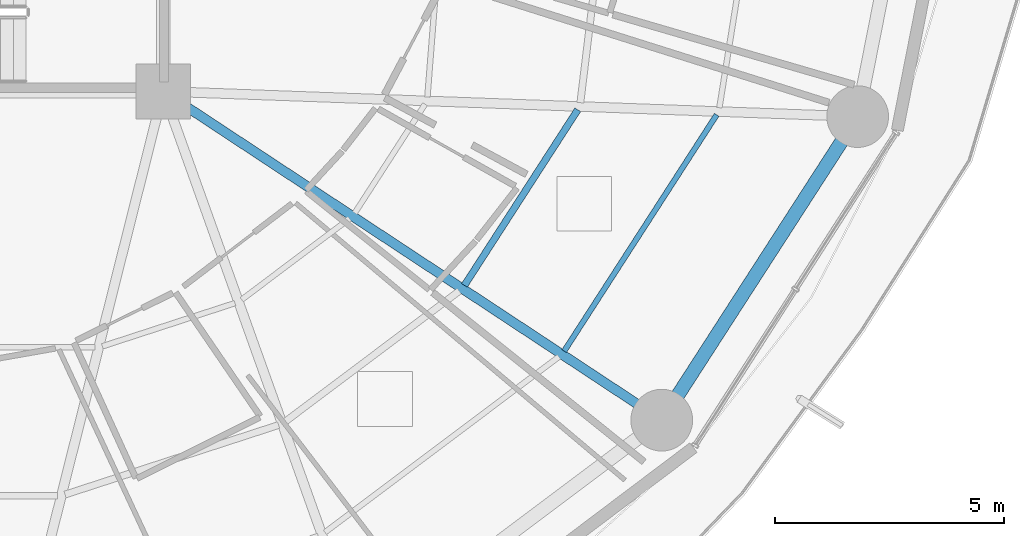
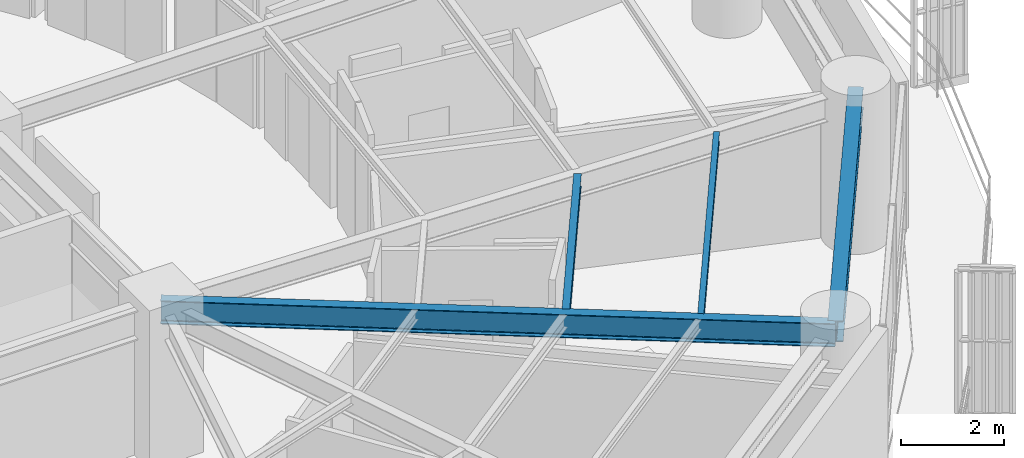
# One storey, part 13 of 36: 4 beams.
"""IFC4 building model written with IfcOpenShell, lengths in metres."""

import ifcopenshell
import ifcopenshell.guid

model = None  # the IFC model being written
_history = None  # IfcOwnerHistory: only IFC2X3 demands one
_inside = {}  # id of a spatial element -> (the spatial element, [elements in it])
_under = {}  # id of a project, library or spatial element -> (it, [spatial elements below it])
_declared = {}  # id of a project -> (the project, [libraries it declares])
_typed = {}  # id of a type object -> (the type object, [elements of that type])
_made_of = {}  # id of a material, layer set ... -> (it, [elements and type objects made of it])


def new_model(schema):
    """Start an empty IFC model of exactly this schema.

    Asked for "IFC4X3", IfcOpenShell would pick the latest addendum, in which some entities
    have other attributes; the version numbers below select the first issue.
    IFC2X3 requires an IfcOwnerHistory on every rooted entity: one is made here for all.
    """
    global model, _history
    if schema == "IFC4X3":
        model = ifcopenshell.file(schema_version=(4, 3, 0, 0))
    else:
        model = ifcopenshell.file(schema=schema)
    _inside.clear()
    _under.clear()
    _declared.clear()
    _typed.clear()
    _made_of.clear()
    _history = None
    if model.schema == "IFC2X3":
        org = make("IfcOrganization", Name="unknown")
        user = make(
            "IfcPersonAndOrganization",
            ThePerson=make("IfcPerson", FamilyName="unknown"),
            TheOrganization=org,
        )
        app = make(
            "IfcApplication",
            ApplicationDeveloper=org,
            Version="unknown",
            ApplicationFullName="unknown",
            ApplicationIdentifier="unknown",
        )
        _history = make(
            "IfcOwnerHistory",
            OwningUser=user,
            OwningApplication=app,
            ChangeAction="ADDED",
            CreationDate=0,
        )
    return model


def make(cls, **values):
    """One entity of the class cls with the attributes given. An attribute that is None is left unset."""
    return model.create_entity(
        cls, **{name: value for name, value in values.items() if value is not None}
    )


def rooted(cls, **values):
    """An entity with a GlobalId (a new one), such as an element, a storey or a relation."""
    return make(cls, GlobalId=ifcopenshell.guid.new(), OwnerHistory=_history, **values)


def si_unit(unit_type, name, prefix=None):
    """IfcSIUnit, for example si_unit("LENGTHUNIT", "METRE", prefix="MILLI")."""
    return make("IfcSIUnit", UnitType=unit_type, Prefix=prefix, Name=name)


def assignment(units):
    """IfcUnitAssignment: the units of a project."""
    return None if units is None else make("IfcUnitAssignment", Units=units)


def point(xyz):
    """IfcCartesianPoint."""
    return None if xyz is None else make("IfcCartesianPoint", Coordinates=xyz)


def direction(xyz):
    """IfcDirection."""
    return None if xyz is None else make("IfcDirection", DirectionRatios=xyz)


def frame(location, z_axis=None, x_axis=None):
    """IfcAxis2Placement3D, a coordinate frame: its origin and axes. An axis left out is left unset."""
    return make(
        "IfcAxis2Placement3D",
        Location=point(location),
        Axis=direction(z_axis),
        RefDirection=direction(x_axis),
    )


def frame_2d(location, x_axis=None):
    """IfcAxis2Placement2D, a coordinate frame in the plane: its origin and x axis."""
    return make(
        "IfcAxis2Placement2D", Location=point(location), RefDirection=direction(x_axis)
    )


def origin():
    """The frame at (0, 0, 0) with its axes left unset."""
    return frame((0.0, 0.0, 0.0))


def origin_2d():
    """The frame at (0, 0) in the plane with its x axis left unset."""
    return frame_2d((0.0, 0.0))


def place(relative_to, where):
    """IfcLocalPlacement: puts the frame where relative to a parent placement (None: the world)."""
    return make(
        "IfcLocalPlacement", PlacementRelTo=relative_to, RelativePlacement=where
    )


def context(
    kind, dimensions, precision=None, world=None, true_north=None, identifier=None
):
    """IfcGeometricRepresentationContext, for example the 3D "Model" context."""
    return make(
        "IfcGeometricRepresentationContext",
        ContextIdentifier=identifier,
        ContextType=kind,
        CoordinateSpaceDimension=dimensions,
        Precision=precision,
        WorldCoordinateSystem=world,
        TrueNorth=true_north,
    )


def subcontext(parent, identifier, kind, view, scale=None):
    """IfcGeometricRepresentationSubContext, for example "Body" below "Model"."""
    return make(
        "IfcGeometricRepresentationSubContext",
        ContextIdentifier=identifier,
        ContextType=kind,
        ParentContext=parent,
        TargetScale=scale,
        TargetView=view,
    )


def project(units=None, contexts=None):
    """IfcProject with its units and contexts."""
    return rooted(
        "IfcProject",
        Name="project",
        RepresentationContexts=contexts,
        UnitsInContext=assignment(units),
    )


def spatial(cls, under=None, at=None, **own):
    """A site, building, storey or space (cls), placed at a placement, below another one or the project."""
    s = rooted(cls, ObjectPlacement=at, **own)
    if under is not None:
        _under.setdefault(under.id(), (under, []))[1].append(s)
    return s


def profile(cls, at=None, kind="AREA", **sizes):
    """A parametric profile (cls). Its sizes go by their IFC names, for example OverallWidth=200.0."""
    return make(cls, ProfileType=kind, Position=at, **sizes)


def i_section(**sizes):
    """IfcIShapeProfileDef."""
    return profile("IfcIShapeProfileDef", **sizes)


def extrude(swept, where, along, depth):
    """IfcExtrudedAreaSolid: the profile swept, set in the frame where, extruded along a direction by depth."""
    return make(
        "IfcExtrudedAreaSolid",
        SweptArea=swept,
        Position=where,
        ExtrudedDirection=direction(along),
        Depth=depth,
    )


def shape(context_of_items, identifier, shape_type, items):
    """IfcShapeRepresentation: the items that make up one representation, for example the "Body"."""
    return make(
        "IfcShapeRepresentation",
        ContextOfItems=context_of_items,
        RepresentationIdentifier=identifier,
        RepresentationType=shape_type,
        Items=items,
    )


def material(Name=None, Category=None):
    """IfcMaterial."""
    return make("IfcMaterial", Name=Name, Category=Category)


def material_profile(
    of_material, cross_section, Name=None, Category=None, Priority=None
):
    """IfcMaterialProfile: a cross section and its material."""
    return make(
        "IfcMaterialProfile",
        Name=Name,
        Material=of_material,
        Profile=cross_section,
        Priority=Priority,
        Category=Category,
    )


def profile_set(profiles, Name=None, composite=None):
    """IfcMaterialProfileSet."""
    return make(
        "IfcMaterialProfileSet",
        Name=Name,
        MaterialProfiles=profiles,
        CompositeProfile=composite,
    )


def made_of(thing, what):
    """Note that an element or type object is made of a material, layer set ...; save() writes the relation."""
    if what is not None:
        _made_of.setdefault(what.id(), (what, []))[1].append(thing)
    return thing


def type_object(cls, material=None, **own):
    """A type object (cls), such as IfcWallType, which elements share."""
    return made_of(rooted(cls, **own), material)


def element(
    cls,
    number,
    at=None,
    inside=None,
    cuts=None,
    type_object=None,
    material=None,
    context=None,
    identifier="Body",
    shape_type=None,
    held_by="IfcProductDefinitionShape",
    body=None,
    shapes=None,
    **own,
):
    """One element of the class cls, such as IfcWall. Its Tag is "e" and its number.

    at: its placement. inside: the storey or other place that contains it. cuts: it is an
    opening in that element (IfcRelVoidsElement). A single representation is given by context,
    identifier, shape_type and body (its items); several are given by shapes. held_by: the class
    of the entity that holds the representations. save() writes the other relations.
    """
    e = rooted(cls, Tag="e%d" % number, ObjectPlacement=at, **own)
    if body is not None:
        shapes = [shape(context, identifier, shape_type, body)]
    if shapes is not None:
        e.Representation = make(held_by, Representations=shapes)
    if inside is not None:
        _inside.setdefault(inside.id(), (inside, []))[1].append(e)
    if cuts is not None:
        rooted(
            "IfcRelVoidsElement", RelatingBuildingElement=cuts, RelatedOpeningElement=e
        )
    if type_object is not None:
        _typed.setdefault(type_object.id(), (type_object, []))[1].append(e)
    return made_of(e, material)


def aggregate(whole, parts):
    """IfcRelAggregates: a whole, such as a stair, and the parts it consists of."""
    return rooted("IfcRelAggregates", RelatingObject=whole, RelatedObjects=parts)


def save(model, path):
    """Write the relations noted so far, then the file.

    IfcRelAggregates (storeys below a building ...), IfcRelContainedInSpatialStructure (elements
    in a storey), IfcRelDefinesByType, IfcRelAssociatesMaterial and IfcRelDeclares: one each for
    every whole, place, type object, material and project.
    """
    for whole, parts in _under.values():
        aggregate(whole, parts)
    for where, things in _inside.values():
        rooted(
            "IfcRelContainedInSpatialStructure",
            RelatedElements=things,
            RelatingStructure=where,
        )
    for kind, things in _typed.values():
        rooted("IfcRelDefinesByType", RelatedObjects=things, RelatingType=kind)
    for what, things in _made_of.values():
        rooted("IfcRelAssociatesMaterial", RelatedObjects=things, RelatingMaterial=what)
    for by, libraries in _declared.values():
        rooted("IfcRelDeclares", RelatingContext=by, RelatedDefinitions=libraries)
    model.write(path)


model = new_model("IFC4")

# Units and contexts
model_context = context("Model", 3, precision=1e-05, world=origin(), true_north=direction((0.0, 1.0)))
body_context = subcontext(model_context, "Body", "Model", "MODEL_VIEW")
ifc_project = project(units=[si_unit("LENGTHUNIT", "METRE"), si_unit("AREAUNIT", "SQUARE_METRE"), si_unit("VOLUMEUNIT", "CUBIC_METRE"), si_unit("PLANEANGLEUNIT", "RADIAN"), si_unit("MASSUNIT", "GRAM", prefix="KILO")], contexts=[model_context])

# Site, building, storey
site_placement = place(None, origin())
site = spatial("IfcSite", under=ifc_project, at=site_placement, CompositionType="ELEMENT")
building_placement = place(site_placement, origin())
building = spatial("IfcBuilding", under=site, at=building_placement, Name="Kelanora Arch Commons", CompositionType="ELEMENT")
storey_placement = place(building_placement, frame((0.0, 0.0, 102.60009765625)))
storey = spatial("IfcBuildingStorey", under=building, at=storey_placement, Name="L26", CompositionType="ELEMENT", Elevation=102.60009765625)

# Beams
ifc_material = material(Name="Steel S355", Category="steel")
ifc_material_profile_1 = material_profile(ifc_material, i_section(OverallWidth=0.14990234375, OverallDepth=0.300048828125, WebThickness=0.007080078125, FlangeThickness=0.0107421875, FilletRadius=0.014892578125, at=origin_2d()), Name="IPE300")
ifc_profile_set_1 = profile_set([ifc_material_profile_1], Name="Steel S355")
beam_type_1 = type_object("IfcBeamType", Name="BM-JST-01", PredefinedType="JOIST", material=ifc_profile_set_1)
beam_1_placement = place(storey_placement, frame((88.589599609375, 46.755615234375, 3.33984375), z_axis=(0.542230243286, 0.840229946661, 0.0), x_axis=(-0.840229946661, 0.542230243286, 0.0)))
element("IfcBeam", 1, at=beam_1_placement, inside=storey, type_object=beam_type_1, Name="Secondary Chord Joist BJB-32 L26", PredefinedType="JOIST", context=body_context, shape_type="SweptSolid", body=[
    extrude(i_section(OverallWidth=0.14990234375, OverallDepth=0.300048828125, WebThickness=0.007080078125, FlangeThickness=0.0107421875, FilletRadius=0.014892578125, at=origin_2d()), origin(), (0.0, 0.0, 1.0), 4.572265625),
])
ifc_material_profile_2 = material_profile(ifc_material, i_section(OverallWidth=0.1201171875, OverallDepth=0.239990234375, WebThickness=0.006103515625, FlangeThickness=0.009765625, FilletRadius=0.014892578125, at=origin_2d()), Name="IPE240")
ifc_profile_set_2 = profile_set([ifc_material_profile_2], Name="Steel S355")
beam_type_2 = type_object("IfcBeamType", Name="BM-JST-02", PredefinedType="JOIST", material=ifc_profile_set_2)
beam_2_placement = place(storey_placement, frame((90.77099609375, 45.317138671875, 3.369873046875), z_axis=(0.542212726273, 0.840241250754, 0.0), x_axis=(-0.840241250754, 0.542212726273, 0.0)))
element("IfcBeam", 2, at=beam_2_placement, inside=storey, type_object=beam_type_2, Name="Secondary Chord Joist BJC-32 L26", PredefinedType="JOIST", context=body_context, shape_type="SweptSolid", body=[
    extrude(i_section(OverallWidth=0.1201171875, OverallDepth=0.239990234375, WebThickness=0.006103515625, FlangeThickness=0.009765625, FilletRadius=0.014892578125, at=origin_2d()), origin(), (0.0, 0.0, 1.0), 6.15283203125),
])
ifc_material_profile_3 = material_profile(ifc_material, i_section(OverallWidth=0.2099609375, OverallDepth=0.550048828125, WebThickness=0.010986328125, FlangeThickness=0.01708984375, FilletRadius=0.02392578125, at=origin_2d()), Name="IPE550")
ifc_profile_set_3 = profile_set([ifc_material_profile_3], Name="Steel S355")
beam_type_3 = type_object("IfcBeamType", Name="BM-RAD-Z2", PredefinedType="BEAM", material=ifc_profile_set_3)
beam_3_placement = place(storey_placement, frame((82.0, 51.0, 3.21484375), z_axis=(0.834788577908, -0.550570640512, 0.0), x_axis=(0.550570640512, 0.834788577908, 0.0)))
element("IfcBeam", 3, at=beam_3_placement, inside=storey, type_object=beam_type_3, Name="Radial Floor Girder BR-32 L26", PredefinedType="BEAM", context=body_context, shape_type="SweptSolid", body=[
    extrude(i_section(OverallWidth=0.2099609375, OverallDepth=0.550048828125, WebThickness=0.010986328125, FlangeThickness=0.01708984375, FilletRadius=0.02392578125, at=origin_2d()), origin(), (0.0, 0.0, 1.0), 13.064453125),
])
ifc_material_profile_4 = material_profile(ifc_material, i_section(OverallWidth=0.300048828125, OverallDepth=0.5, WebThickness=0.014404296875, FlangeThickness=0.028076171875, FilletRadius=0.027099609375, at=origin_2d()), Name="HEB500")
ifc_profile_set_4 = profile_set([ifc_material_profile_4], Name="Steel S355")
beam_type_4 = type_object("IfcBeamType", Name="BM-SPN-Z2", PredefinedType="SPANDREL", material=ifc_profile_set_4)
beam_4_placement = place(storey_placement, frame((92.906005859375, 43.80712890625, 3.239990234375), z_axis=(0.542221144054, 0.840235818649, 0.0), x_axis=(-0.840235818649, 0.542221144054, 0.0)))
element("IfcBeam", 4, at=beam_4_placement, inside=storey, type_object=beam_type_4, Name="Perimeter Spandrel Beam BS-32 L26", PredefinedType="SPANDREL", context=body_context, shape_type="SweptSolid", body=[
    extrude(i_section(OverallWidth=0.300048828125, OverallDepth=0.5, WebThickness=0.014404296875, FlangeThickness=0.028076171875, FilletRadius=0.027099609375, at=origin_2d()), origin(), (0.0, 0.0, 1.0), 7.90380859375),
])

save(model, "model.ifc")
